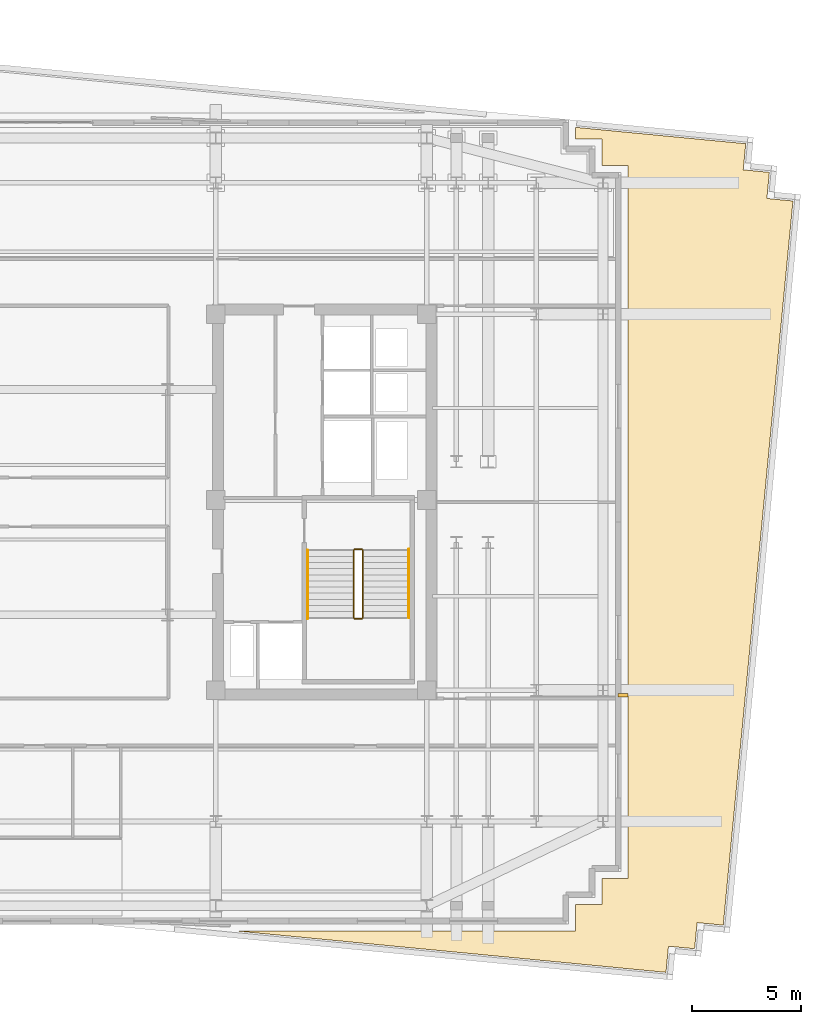
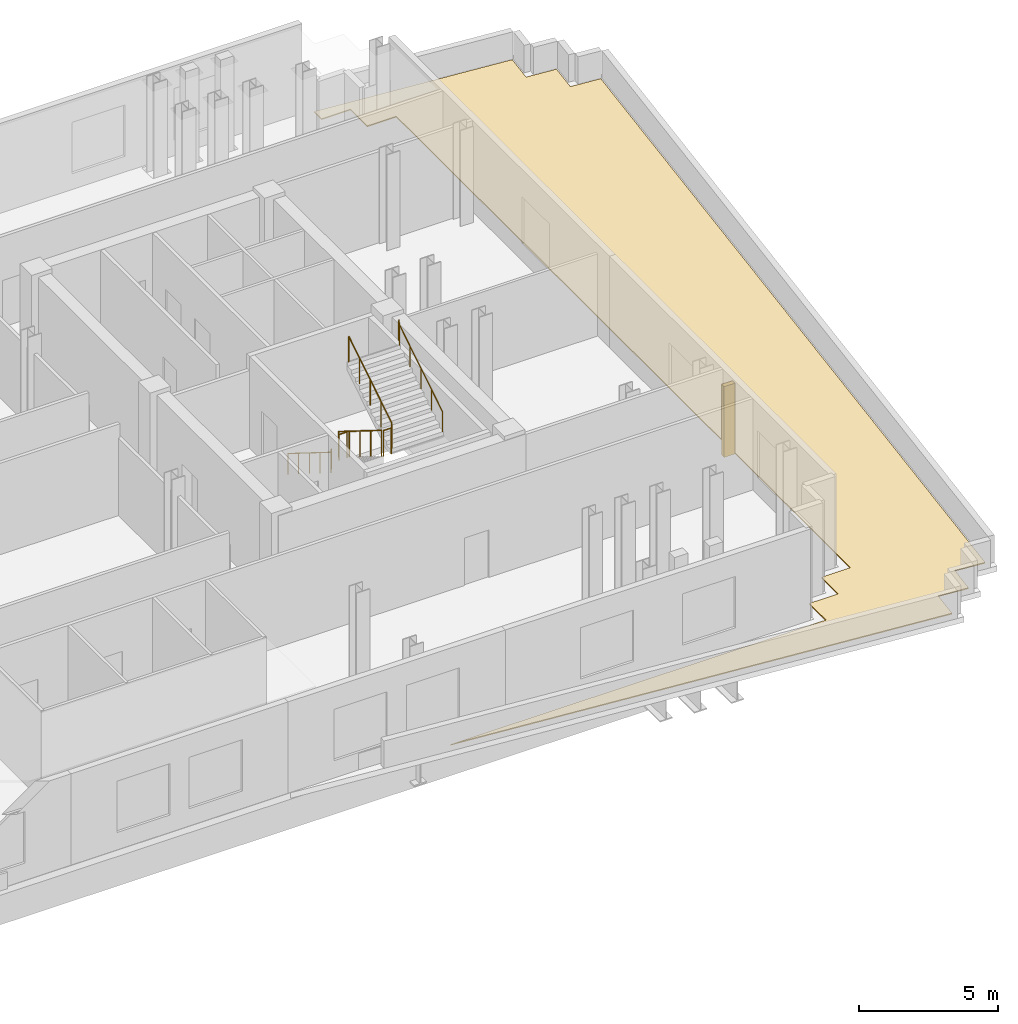
# One storey, part 10 of 11: 6 railings, 1 covering, 1 shading device.
"""IFC4 building model written with IfcOpenShell, lengths in metres."""

from ifc_helpers import new_model, si_unit, direction, frame, origin, origin_2d, place, context, subcontext, project, spatial, polyline, rectangle, circle, outline, extrude, material, layer, layer_set, type_object, element, save


model = new_model("IFC4")

# Units and contexts
model_context = context("Model", 3, precision=1e-05, world=origin(), true_north=direction((0.0, 1.0)))
body_context = subcontext(model_context, "Body", "Model", "MODEL_VIEW")
ifc_project = project(units=[si_unit("LENGTHUNIT", "METRE"), si_unit("AREAUNIT", "SQUARE_METRE"), si_unit("VOLUMEUNIT", "CUBIC_METRE"), si_unit("PLANEANGLEUNIT", "RADIAN"), si_unit("MASSUNIT", "GRAM", prefix="KILO")], contexts=[model_context])

# Site, building, storey
site_placement = place(None, origin())
site = spatial("IfcSite", under=ifc_project, at=site_placement, CompositionType="ELEMENT")
building_placement = place(site_placement, origin())
building = spatial("IfcBuilding", under=site, at=building_placement, Name="Velakula Bourse", CompositionType="ELEMENT")
storey_placement = place(building_placement, frame((0.0, 0.0, 204.300048828125)))
storey = spatial("IfcBuildingStorey", under=building, at=storey_placement, Name="L55", CompositionType="ELEMENT", Elevation=204.300048828125)

# Covering
ifc_material_1 = material(Name="Modified bitumen SBS waterproofing membrane", Category="bitumen")
ifc_layer = layer(ifc_material_1, 0.044921875, Name="Modified bitumen SBS waterproofing membrane", Category="bitumen")
ifc_layer_set = layer_set([ifc_layer], Name="Modified bitumen SBS waterproofing membrane")
covering_type = type_object("IfcCoveringType", Name="COV-ROOF-SBS-45", PredefinedType="ROOFING", material=ifc_layer_set)
covering_placement = place(storey_placement, origin())
element("IfcCovering", 1, at=covering_placement, inside=storey, type_object=covering_type, Name="L55 SBS Waterproofing Roof Membrane 2", PredefinedType="ROOFING", context=body_context, shape_type="SweptSolid", body=[
    extrude(outline(polyline([(25.39990234375, 17.13818359375), (33.176513671875, 16.389404296875), (33.0615234375, 15.195068359375), (34.256103515625, 15.079833984375), (34.14111328125, 13.885498046875), (35.33544921875, 13.7705078125), (32.147705078125, -19.33642578125), (30.953125, -19.221435546875), (30.838134765625, -20.416015625), (29.6435546875, -20.30078125), (29.528564453125, -21.495361328125), (9.843994140625, -19.60009765625), (25.39990234375, -19.60009765625), (25.39990234375, -18.39990234375), (26.60009765625, -18.39990234375), (26.60009765625, -17.199951171875), (27.800048828125, -17.199951171875), (27.800048828125, 15.39990234375), (26.60009765625, 15.39990234375), (26.60009765625, 16.60009765625), (25.39990234375, 16.60009765625), (25.39990234375, 17.13818359375)])), origin(), (0.0, 0.0, 1.0), 0.044921875),
])

# Railings
ifc_material_2 = material(Name="Brushed grade 316 stainless steel", Category="steel")
railing_type_1 = type_object("IfcRailingType", Name="RLG-STAIR-GUARD-1150", PredefinedType="BALUSTRADE", material=ifc_material_2)
railing_1_placement = place(storey_placement, frame((15.248046875, -2.199951171875, 0.175048828125)))
element("IfcRailing", 2, at=railing_1_placement, inside=storey, type_object=railing_type_1, Name="L55 ST-E1 stair guard 1", PredefinedType="BALUSTRADE", context=body_context, shape_type="SweptSolid", body=[
    extrude(circle(Radius=0.02490234375, at=origin_2d()), frame((0.0, 0.0, 1.125), z_axis=(0.0, -0.848028513186, 0.529950602248), x_axis=(1.0, 0.0, 0.0)), (0.0, 0.0, 1.0), 3.632080078125),
    extrude(circle(Radius=0.02099609375, at=origin_2d()), origin(), (0.0, 0.0, 1.0), 1.099853515625),
    extrude(circle(Radius=0.02099609375, at=origin_2d()), frame((0.0, -0.77001953125, 0.481201171875)), (0.0, 0.0, 1.0), 1.099853515625),
    extrude(circle(Radius=0.02099609375, at=origin_2d()), frame((0.0, -1.5400390625, 0.96240234375)), (0.0, 0.0, 1.0), 1.099853515625),
    extrude(circle(Radius=0.02099609375, at=origin_2d()), frame((0.0, -2.31005859375, 1.443603515625)), (0.0, 0.0, 1.0), 1.099853515625),
    extrude(circle(Radius=0.02099609375, at=origin_2d()), frame((0.0, -3.080078125, 1.9248046875)), (0.0, 0.0, 1.0), 1.099853515625),
])
railing_2_placement = place(storey_placement, frame((15.298095703125, -5.330078125, 2.099853515625)))
element("IfcRailing", 3, at=railing_2_placement, inside=storey, type_object=railing_type_1, Name="L55 ST-E1 stair guard 2", PredefinedType="BALUSTRADE", context=body_context, shape_type="SweptSolid", body=[
    extrude(circle(Radius=0.02490234375, at=origin_2d()), frame((0.0, 0.0, 1.125), z_axis=(1.0, 0.0, 0.0), x_axis=(0.0, 1.0, 0.0)), (0.0, 0.0, 1.0), 0.323974609375),
    extrude(circle(Radius=0.02099609375, at=origin_2d()), origin(), (0.0, 0.0, 1.0), 1.099853515625),
    extrude(circle(Radius=0.02099609375, at=origin_2d()), frame((0.323974609375, 0.0, 0.0)), (0.0, 0.0, 1.0), 1.099853515625),
])
railing_3_placement = place(storey_placement, frame((15.672119140625, -5.280029296875, 2.27490234375)))
element("IfcRailing", 4, at=railing_3_placement, inside=storey, type_object=railing_type_1, Name="L55 ST-E1 stair guard 3", PredefinedType="BALUSTRADE", context=body_context, shape_type="SweptSolid", body=[
    extrude(circle(Radius=0.02490234375, at=origin_2d()), frame((0.0, 0.0, 1.125), z_axis=(0.0, 0.847998304005, 0.529998940003), x_axis=(-1.0, 0.0, 0.0)), (0.0, 0.0, 1.0), 3.632080078125),
    extrude(circle(Radius=0.02099609375, at=origin_2d()), origin(), (0.0, 0.0, 1.0), 1.099853515625),
    extrude(circle(Radius=0.02099609375, at=origin_2d()), frame((0.0, 0.77001953125, 0.481201171875)), (0.0, 0.0, 1.0), 1.099853515625),
    extrude(circle(Radius=0.02099609375, at=origin_2d()), frame((0.0, 1.5400390625, 0.96240234375)), (0.0, 0.0, 1.0), 1.099853515625),
    extrude(circle(Radius=0.02099609375, at=origin_2d()), frame((0.0, 2.31005859375, 1.44384765625)), (0.0, 0.0, 1.0), 1.099853515625),
    extrude(circle(Radius=0.02099609375, at=origin_2d()), frame((0.0, 3.080078125, 1.925048828125)), (0.0, 0.0, 1.0), 1.099853515625),
])
railing_4_placement = place(storey_placement, frame((15.298095703125, -2.14990234375, 0.0)))
element("IfcRailing", 5, at=railing_4_placement, inside=storey, type_object=railing_type_1, Name="L55 ST-E1 stair guard 4", PredefinedType="BALUSTRADE", context=body_context, shape_type="SweptSolid", body=[
    extrude(circle(Radius=0.02490234375, at=origin_2d()), frame((0.0, 0.0, 1.125), z_axis=(1.0, 0.0, 0.0), x_axis=(0.0, 1.0, 0.0)), (0.0, 0.0, 1.0), 0.323974609375),
    extrude(circle(Radius=0.02099609375, at=origin_2d()), origin(), (0.0, 0.0, 1.0), 1.099853515625),
    extrude(circle(Radius=0.02099609375, at=origin_2d()), frame((0.323974609375, 0.0, 0.0)), (0.0, 0.0, 1.0), 1.099853515625),
])
railing_type_2 = type_object("IfcRailingType", Name="RLG-STAIR-HAND-920", PredefinedType="HANDRAIL", material=ifc_material_2)
railing_5_placement = place(storey_placement, frame((13.14990234375, -2.199951171875, 0.175048828125)))
element("IfcRailing", 6, at=railing_5_placement, inside=storey, type_object=railing_type_2, Name="L55 ST-E1 stair handrail 1", PredefinedType="HANDRAIL", context=body_context, shape_type="SweptSolid", body=[
    extrude(circle(Radius=0.02099609375, at=origin_2d()), frame((0.0, 0.0, 0.89892578125), z_axis=(0.0, -0.848028513186, 0.529950602248), x_axis=(1.0, 0.0, 0.0)), (0.0, 0.0, 1.0), 3.632080078125),
    extrude(circle(Radius=0.02099609375, at=origin_2d()), frame((0.0, -3.080078125, 2.82373046875), z_axis=(0.0, -0.222972465624, 0.974824743004), x_axis=(1.0, 0.0, 0.0)), (0.0, 0.0, 1.0), 0.1796875),
    extrude(circle(Radius=0.02099609375, at=origin_2d()), frame((0.0, -3.1201171875, 2.998779296875), z_axis=(0.0, -1.0, 0.0), x_axis=(1.0, 0.0, 0.0)), (0.0, 0.0, 1.0), 0.0048828125),
    extrude(circle(Radius=0.02099609375, at=origin_2d()), origin(), (0.0, 0.0, 1.0), 0.8779296875),
    extrude(circle(Radius=0.02099609375, at=origin_2d()), frame((0.0, -0.77001953125, 0.481201171875)), (0.0, 0.0, 1.0), 0.8779296875),
    extrude(circle(Radius=0.02099609375, at=origin_2d()), frame((0.0, -1.5400390625, 0.96240234375)), (0.0, 0.0, 1.0), 0.8779296875),
    extrude(circle(Radius=0.02099609375, at=origin_2d()), frame((0.0, -2.31005859375, 1.443603515625)), (0.0, 0.0, 1.0), 0.8779296875),
    extrude(circle(Radius=0.02099609375, at=origin_2d()), frame((0.0, -3.080078125, 1.9248046875)), (0.0, 0.0, 1.0), 0.8779296875),
    extrude(circle(Radius=0.02099609375, at=origin_2d()), frame((0.0, -3.1201171875, 2.099853515625)), (0.0, 0.0, 1.0), 0.8779296875),
    extrude(circle(Radius=0.02099609375, at=origin_2d()), frame((0.0, -3.125, 2.099853515625)), (0.0, 0.0, 1.0), 0.8779296875),
])
railing_6_placement = place(storey_placement, frame((17.77001953125, -5.280029296875, 2.27490234375)))
element("IfcRailing", 7, at=railing_6_placement, inside=storey, type_object=railing_type_2, Name="L55 ST-E1 stair handrail 2", PredefinedType="HANDRAIL", context=body_context, shape_type="SweptSolid", body=[
    extrude(circle(Radius=0.02099609375, at=origin_2d()), frame((0.0, 0.0, 0.89892578125), z_axis=(0.0, 0.847998304005, 0.529998940003), x_axis=(-1.0, 0.0, 0.0)), (0.0, 0.0, 1.0), 3.632080078125),
    extrude(circle(Radius=0.02099609375, at=origin_2d()), frame((0.0, 3.080078125, 2.823974609375), z_axis=(0.0, 0.222972465624, 0.974824743004), x_axis=(-1.0, 0.0, 0.0)), (0.0, 0.0, 1.0), 0.1796875),
    extrude(circle(Radius=0.02099609375, at=origin_2d()), frame((0.0, 3.1201171875, 2.9990234375), z_axis=(0.0, 1.0, 0.0), x_axis=(-1.0, 0.0, 0.0)), (0.0, 0.0, 1.0), 0.0048828125),
    extrude(circle(Radius=0.02099609375, at=origin_2d()), origin(), (0.0, 0.0, 1.0), 0.8779296875),
    extrude(circle(Radius=0.02099609375, at=origin_2d()), frame((0.0, 0.77001953125, 0.481201171875)), (0.0, 0.0, 1.0), 0.8779296875),
    extrude(circle(Radius=0.02099609375, at=origin_2d()), frame((0.0, 1.5400390625, 0.96240234375)), (0.0, 0.0, 1.0), 0.8779296875),
    extrude(circle(Radius=0.02099609375, at=origin_2d()), frame((0.0, 2.31005859375, 1.44384765625)), (0.0, 0.0, 1.0), 0.8779296875),
    extrude(circle(Radius=0.02099609375, at=origin_2d()), frame((0.0, 3.080078125, 1.925048828125)), (0.0, 0.0, 1.0), 0.8779296875),
    extrude(circle(Radius=0.02099609375, at=origin_2d()), frame((0.0, 3.1201171875, 2.10009765625)), (0.0, 0.0, 1.0), 0.8779296875),
    extrude(circle(Radius=0.02099609375, at=origin_2d()), frame((0.0, 3.125, 2.10009765625)), (0.0, 0.0, 1.0), 0.8779296875),
])

# Shading device
ifc_material_3 = material(Name="Anodised bronze architectural aluminium", Category="aluminium")
shading_device_type = type_object("IfcShadingDeviceType", Name="SHD-FIN-450", PredefinedType="USERDEFINED", material=ifc_material_3)
shading_device_placement = place(storey_placement, frame((27.570068359375, -8.824951171875, 0.0), z_axis=(0.0, 0.0, 1.0), x_axis=(1.0, 0.0, 0.0)))
element("IfcShadingDevice", 8, at=shading_device_placement, inside=storey, type_object=shading_device_type, Name="L55 Vertical Bronze Solar Shading Fin E", ObjectType="FIN", PredefinedType="USERDEFINED", context=body_context, shape_type="SweptSolid", body=[
    extrude(rectangle(XDim=0.449951171875, YDim=0.179931640625, at=origin_2d()), origin(), (0.0, 0.0, 1.0), 3.10009765625),
])

save(model, "model.ifc")
